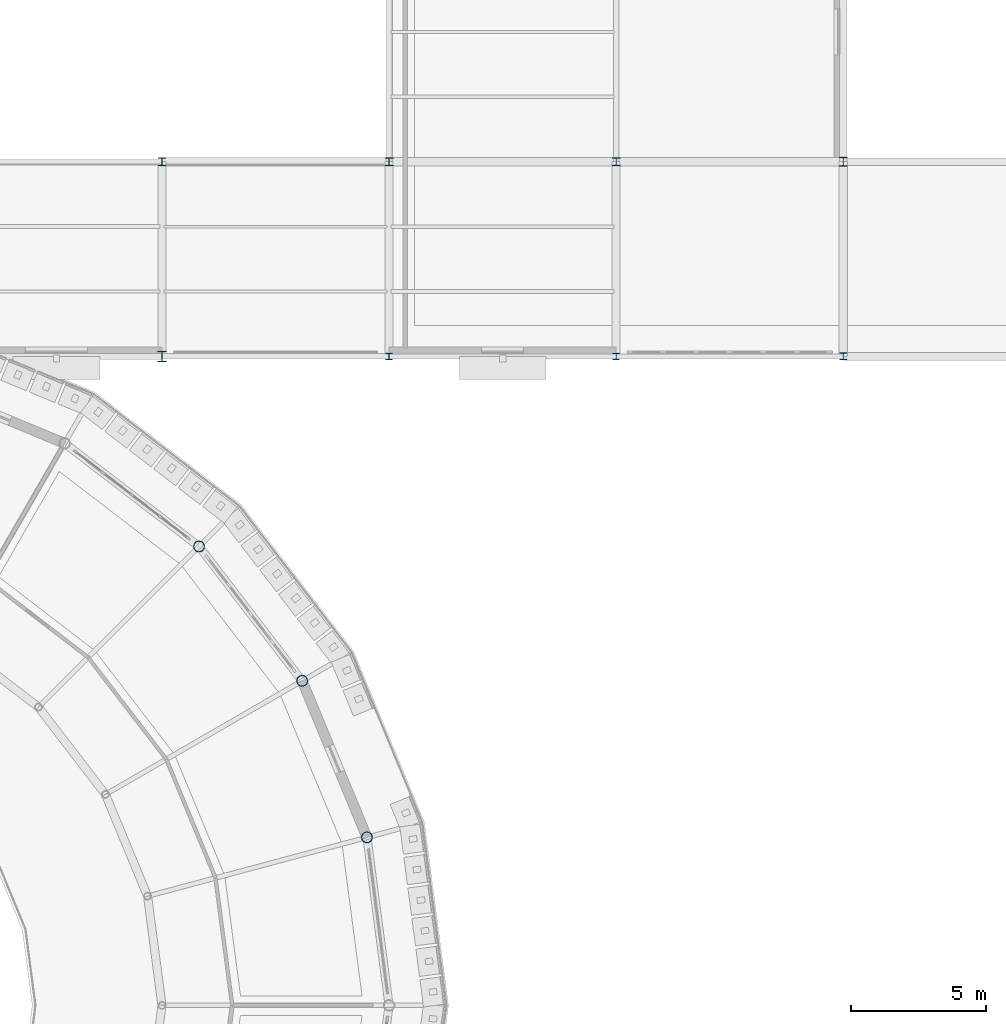
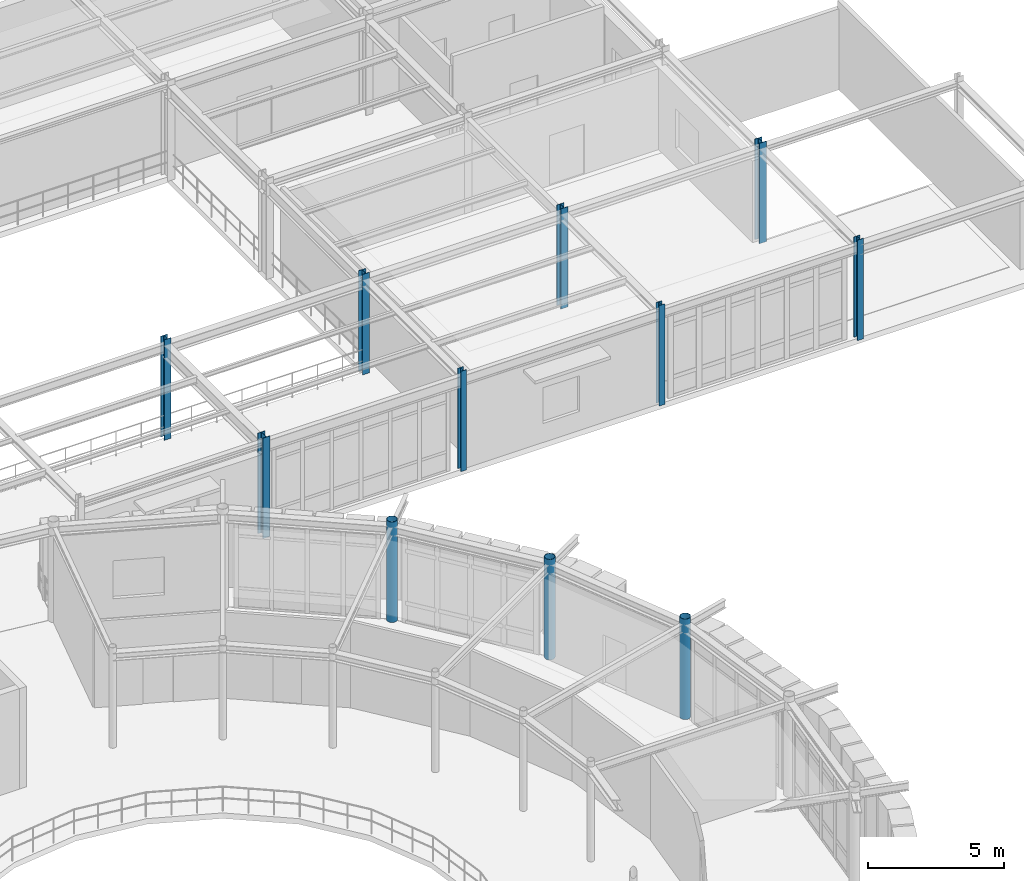
# One storey, part 20 of 106: 11 columns.
"""IFC4 building model written with IfcOpenShell, lengths in metres."""

from ifc_helpers import new_model, si_unit, derived_unit, direction, frame, origin, origin_2d, place, context, subcontext, project, spatial, hollow_circle, i_section, extrude, material, material_profile, profile_set, type_object, element, save


model = new_model("IFC4")

# Units and contexts
model_context = context("Model", 3, precision=1e-05, world=origin(), true_north=direction((0.0, 1.0)))
body_context = subcontext(model_context, "Body", "Model", "MODEL_VIEW")
ifc_project = project(units=[si_unit("LENGTHUNIT", "METRE"), si_unit("AREAUNIT", "SQUARE_METRE"), si_unit("VOLUMEUNIT", "CUBIC_METRE"), si_unit("PLANEANGLEUNIT", "RADIAN"), si_unit("MASSUNIT", "GRAM", prefix="KILO"), derived_unit("THERMALTRANSMITTANCEUNIT", [(si_unit("POWERUNIT", "WATT"), 1), (si_unit("AREAUNIT", "SQUARE_METRE"), -1), (si_unit("THERMODYNAMICTEMPERATUREUNIT", "KELVIN"), -1)])], contexts=[model_context])

# Site, building, storey
site_placement = place(None, origin())
site = spatial("IfcSite", under=ifc_project, at=site_placement, CompositionType="ELEMENT")
building_placement = place(site_placement, origin())
building = spatial("IfcBuilding", under=site, at=building_placement, Name="Yasenodar Specialist Clinic", CompositionType="ELEMENT")
storey_placement = place(building_placement, frame((0.0, 0.0, 4.5)))
storey = spatial("IfcBuildingStorey", under=building, at=storey_placement, Name="L01", CompositionType="ELEMENT", Elevation=4.5)

# Columns
ifc_material = material(Name="Steel S355", Category="steel")
ifc_material_profile_1 = material_profile(ifc_material, hollow_circle(Radius=0.203125, WallThickness=0.01611328125, at=origin_2d()), Name="CHS 406.4x16")
ifc_profile_set_1 = profile_set([ifc_material_profile_1], Name="Steel S355")
column_type_1 = type_object("IfcColumnType", Name="COL-ST-CHS406", PredefinedType="COLUMN", material=ifc_profile_set_1)
for number, where, z_axis, x_axis, name in (
    (1, (104.18212890625, 65.01171875, 0.0), (0.0, 0.0, 1.0), (1.0, 0.0, 0.0), "L01 Drum V1 Outer Column 02"),
    (2, (101.78466796875, 70.800048828125, 0.0), (0.0, 0.0, 1.0), (1.0, 0.0, 0.0), "L01 Drum V1 Outer Column 03"),
    (3, (97.970703125, 75.7705078125, 0.0), (0.0, 0.0, 1.0), (1.0, 0.0, 0.0), "L01 Drum V1 Outer Column 04"),
):
    element("IfcColumn", number, at=place(storey_placement, frame(where, z_axis=z_axis, x_axis=x_axis)), inside=storey, type_object=column_type_1, Name=name, PredefinedType="COLUMN", context=body_context, shape_type="SweptSolid", body=[
        extrude(hollow_circle(Radius=0.203125, WallThickness=0.01611328125, at=origin_2d()), origin(), (0.0, 0.0, 1.0), 4.5),
    ])
ifc_material_profile_2 = material_profile(ifc_material, i_section(OverallWidth=0.300048828125, OverallDepth=0.389892578125, WebThickness=0.010986328125, FlangeThickness=0.01904296875, FilletRadius=0.027099609375, at=origin_2d()), Name="HEA 400")
ifc_profile_set_2 = profile_set([ifc_material_profile_2], Name="Steel S355")
column_type_2 = type_object("IfcColumnType", Name="COL-ST-HEA400", PredefinedType="COLUMN", material=ifc_profile_set_2)
column_1_placement = place(storey_placement, frame((96.60009765625, 82.800048828125, 0.0), z_axis=(0.0, 0.0, 1.0), x_axis=(1.0, 0.0, 0.0)))
element("IfcColumn", 4, at=column_1_placement, inside=storey, type_object=column_type_2, Name="L01 Column V5-113", PredefinedType="COLUMN", context=body_context, shape_type="SweptSolid", body=[
    extrude(i_section(OverallWidth=0.300048828125, OverallDepth=0.389892578125, WebThickness=0.010986328125, FlangeThickness=0.01904296875, FilletRadius=0.027099609375, at=origin_2d()), origin(), (0.0, 0.0, 1.0), 4.5),
])
ifc_material_profile_3 = material_profile(ifc_material, i_section(OverallWidth=0.239990234375, OverallDepth=0.239990234375, WebThickness=0.010009765625, FlangeThickness=0.01708984375, FilletRadius=0.02099609375, at=origin_2d()), Name="HEB 240")
ifc_profile_set_3 = profile_set([ifc_material_profile_3], Name="Steel S355")
column_type_3 = type_object("IfcColumnType", Name="COL-ST-HEB240", PredefinedType="COLUMN", material=ifc_profile_set_3)
for number, where, z_axis, x_axis, name in (
    (5, (105.0, 82.800048828125, 0.0), (0.0, 0.0, 1.0), (1.0, 0.0, 0.0), "L01 Column V5-122"),
    (6, (113.39990234375, 82.800048828125, 0.0), (0.0, 0.0, 1.0), (1.0, 0.0, 0.0), "L01 Column V5-132"),
):
    element("IfcColumn", number, at=place(storey_placement, frame(where, z_axis=z_axis, x_axis=x_axis)), inside=storey, type_object=column_type_3, Name=name, PredefinedType="COLUMN", context=body_context, shape_type="SweptSolid", body=[
        extrude(i_section(OverallWidth=0.239990234375, OverallDepth=0.239990234375, WebThickness=0.010009765625, FlangeThickness=0.01708984375, FilletRadius=0.02099609375, at=origin_2d()), origin(), (0.0, 0.0, 1.0), 4.5),
    ])
ifc_material_profile_4 = material_profile(ifc_material, i_section(OverallWidth=0.260009765625, OverallDepth=0.260009765625, WebThickness=0.010009765625, FlangeThickness=0.017578125, FilletRadius=0.02392578125, at=origin_2d()), Name="HEB 260")
ifc_profile_set_4 = profile_set([ifc_material_profile_4], Name="Steel S355")
column_type_4 = type_object("IfcColumnType", Name="COL-ST-HEB260", PredefinedType="COLUMN", material=ifc_profile_set_4)
column_2_placement = place(storey_placement, frame((121.800048828125, 82.800048828125, 0.0), z_axis=(0.0, 0.0, 1.0), x_axis=(1.0, 0.0, 0.0)))
element("IfcColumn", 7, at=column_2_placement, inside=storey, type_object=column_type_4, Name="L01 Column V5-141", PredefinedType="COLUMN", context=body_context, shape_type="SweptSolid", body=[
    extrude(i_section(OverallWidth=0.260009765625, OverallDepth=0.260009765625, WebThickness=0.010009765625, FlangeThickness=0.017578125, FilletRadius=0.02392578125, at=origin_2d()), origin(), (0.0, 0.0, 1.0), 4.5),
])
ifc_material_profile_5 = material_profile(ifc_material, i_section(OverallWidth=0.280029296875, OverallDepth=0.280029296875, WebThickness=0.010498046875, FlangeThickness=0.01806640625, FilletRadius=0.02392578125, at=origin_2d()), Name="HEB 280")
ifc_profile_set_5 = profile_set([ifc_material_profile_5], Name="Steel S355")
column_type_5 = type_object("IfcColumnType", Name="COL-ST-HEB280", PredefinedType="COLUMN", material=ifc_profile_set_5)
column_3_placement = place(storey_placement, frame((96.60009765625, 90.0, 0.0), z_axis=(0.0, 0.0, 1.0), x_axis=(1.0, 0.0, 0.0)))
element("IfcColumn", 8, at=column_3_placement, inside=storey, type_object=column_type_5, Name="L01 Column V5-114", PredefinedType="COLUMN", context=body_context, shape_type="SweptSolid", body=[
    extrude(i_section(OverallWidth=0.280029296875, OverallDepth=0.280029296875, WebThickness=0.010498046875, FlangeThickness=0.01806640625, FilletRadius=0.02392578125, at=origin_2d()), origin(), (0.0, 0.0, 1.0), 4.5),
])
ifc_material_profile_6 = material_profile(ifc_material, i_section(OverallWidth=0.300048828125, OverallDepth=0.300048828125, WebThickness=0.010986328125, FlangeThickness=0.01904296875, FilletRadius=0.027099609375, at=origin_2d()), Name="HEB 300")
ifc_profile_set_6 = profile_set([ifc_material_profile_6], Name="Steel S355")
column_type_6 = type_object("IfcColumnType", Name="COL-ST-HEB300", PredefinedType="COLUMN", material=ifc_profile_set_6)
for number, where, z_axis, x_axis, name in (
    (9, (105.0, 90.0, 0.0), (0.0, 0.0, 1.0), (1.0, 0.0, 0.0), "L01 Column V5-123"),
    (10, (113.39990234375, 90.0, 0.0), (0.0, 0.0, 1.0), (1.0, 0.0, 0.0), "L01 Column V5-133"),
):
    element("IfcColumn", number, at=place(storey_placement, frame(where, z_axis=z_axis, x_axis=x_axis)), inside=storey, type_object=column_type_6, Name=name, PredefinedType="COLUMN", context=body_context, shape_type="SweptSolid", body=[
        extrude(i_section(OverallWidth=0.300048828125, OverallDepth=0.300048828125, WebThickness=0.010986328125, FlangeThickness=0.01904296875, FilletRadius=0.027099609375, at=origin_2d()), origin(), (0.0, 0.0, 1.0), 4.5),
    ])
ifc_material_profile_7 = material_profile(ifc_material, i_section(OverallWidth=0.300048828125, OverallDepth=0.340087890625, WebThickness=0.011962890625, FlangeThickness=0.021484375, FilletRadius=0.027099609375, at=origin_2d()), Name="HEB 340")
ifc_profile_set_7 = profile_set([ifc_material_profile_7], Name="Steel S355")
column_type_7 = type_object("IfcColumnType", Name="COL-ST-HEB340", PredefinedType="COLUMN", material=ifc_profile_set_7)
column_4_placement = place(storey_placement, frame((121.800048828125, 90.0, 0.0), z_axis=(0.0, 0.0, 1.0), x_axis=(1.0, 0.0, 0.0)))
element("IfcColumn", 11, at=column_4_placement, inside=storey, type_object=column_type_7, Name="L01 Column V5-142", PredefinedType="COLUMN", context=body_context, shape_type="SweptSolid", body=[
    extrude(i_section(OverallWidth=0.300048828125, OverallDepth=0.340087890625, WebThickness=0.011962890625, FlangeThickness=0.021484375, FilletRadius=0.027099609375, at=origin_2d()), origin(), (0.0, 0.0, 1.0), 4.5),
])

save(model, "model.ifc")
